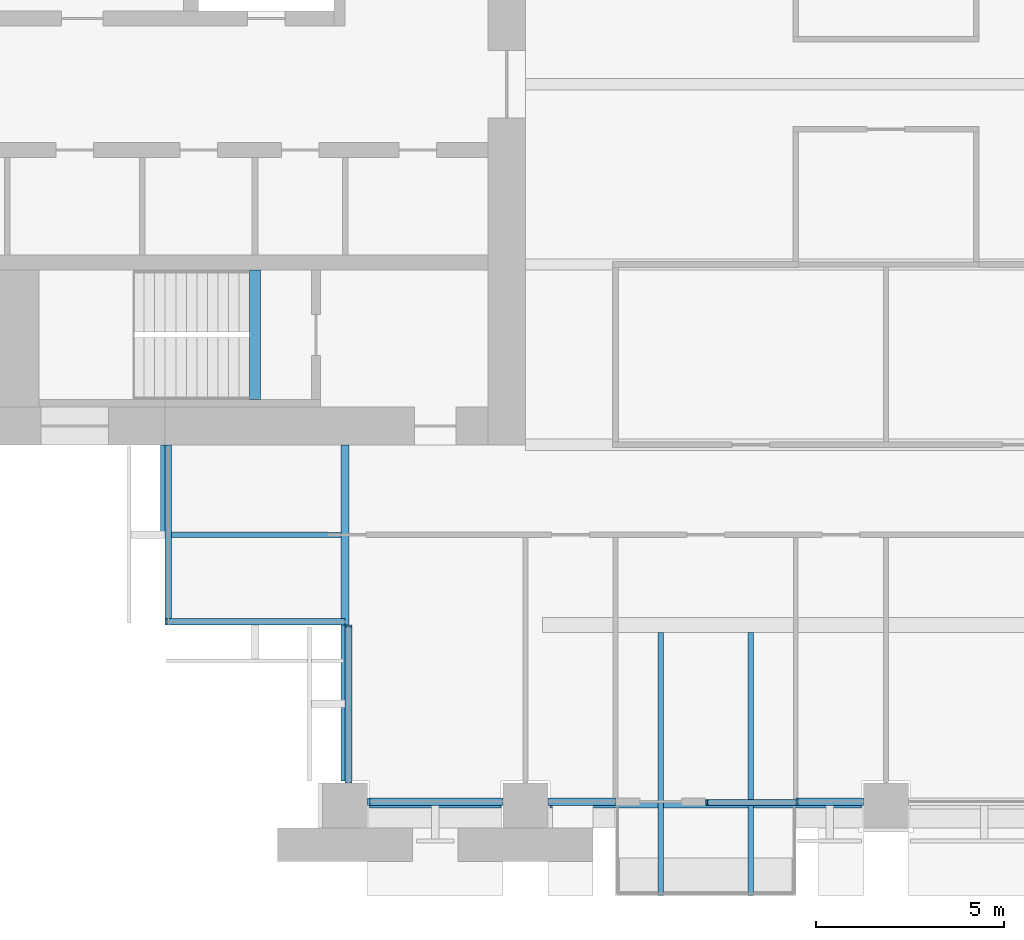
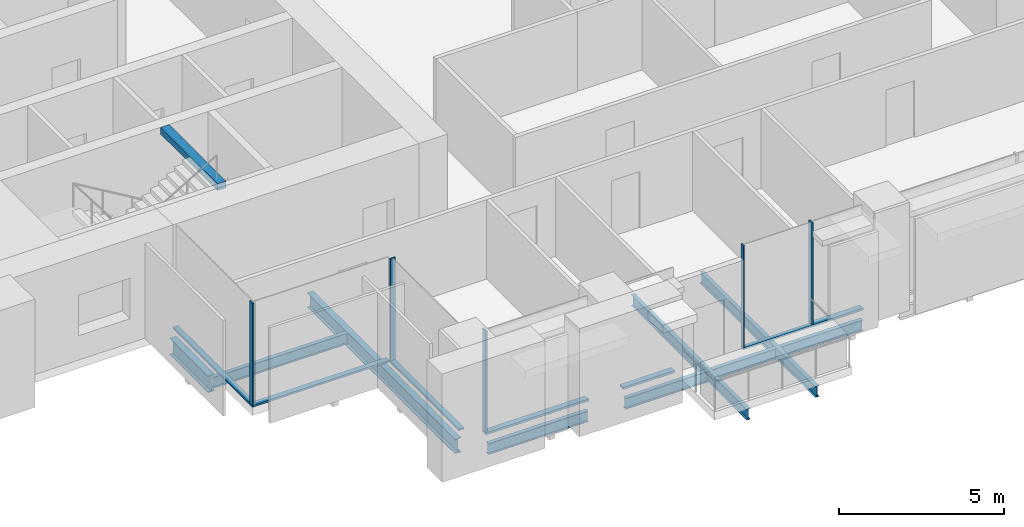
# One storey, part 2 of 15: 12 members, 10 beams, 6 elements without a shape of their own.
"""IFC4 building model written with IfcOpenShell, lengths in metres."""

from ifc_helpers import new_model, si_unit, direction, frame, origin, origin_2d, place, context, subcontext, project, spatial, rectangle, i_section, extrude, material, material_profile, profile_set, type_object, element, aggregate, save


model = new_model("IFC4")

# Units and contexts
model_context = context("Model", 3, precision=1e-05, world=origin(), true_north=direction((0.0, 1.0)))
body_context = subcontext(model_context, "Body", "Model", "MODEL_VIEW")
ifc_project = project(units=[si_unit("LENGTHUNIT", "METRE"), si_unit("AREAUNIT", "SQUARE_METRE"), si_unit("VOLUMEUNIT", "CUBIC_METRE"), si_unit("PLANEANGLEUNIT", "RADIAN"), si_unit("MASSUNIT", "GRAM", prefix="KILO")], contexts=[model_context])

# Site, building, storey
site_placement = place(None, origin())
site = spatial("IfcSite", under=ifc_project, at=site_placement, CompositionType="ELEMENT")
building_placement = place(site_placement, origin())
building = spatial("IfcBuilding", under=site, at=building_placement, Name="Baori Bourse Tower", CompositionType="ELEMENT")
storey_placement = place(building_placement, frame((0.0, 0.0, 104.10009765625)))
storey = spatial("IfcBuildingStorey", under=building, at=storey_placement, Name="L21", CompositionType="ELEMENT", Elevation=104.10009765625)

# Beams
ifc_material_1 = material(Name="Steel A992 Gr 50", Category="steel")
ifc_material_profile_1 = material_profile(ifc_material_1, i_section(OverallWidth=0.140380859375, OverallDepth=0.40380859375, WebThickness=0.007080078125, FlangeThickness=0.01123046875, at=origin_2d()), Name="W16x31")
ifc_profile_set_1 = profile_set([ifc_material_profile_1], Name="Steel A992 Gr 50")
beam_type_1 = type_object("IfcBeamType", Name="Balcony beam W16x31", PredefinedType="BEAM", material=ifc_profile_set_1)
for number, where, z_axis, x_axis, name in (
    (1, (22.800048828125, -2.39990234375, -0.501953125), (0.0, 1.0, 0.0), (-1.0, 0.0, 0.0), "Balcony beam L21"),
    (2, (25.199951171875, -2.39990234375, -0.501953125), (0.0, 1.0, 0.0), (-1.0, 0.0, 0.0), "Balcony beam L21"),
):
    element("IfcBeam", number, at=place(storey_placement, frame(where, z_axis=z_axis, x_axis=x_axis)), inside=storey, type_object=beam_type_1, Name=name, PredefinedType="BEAM", context=body_context, shape_type="SweptSolid", body=[
        extrude(i_section(OverallWidth=0.140380859375, OverallDepth=0.40380859375, WebThickness=0.007080078125, FlangeThickness=0.01123046875, at=origin_2d()), origin(), (0.0, 0.0, 1.0), 6.999267578125),
    ])

# Curtain wall, member
ifc_material_2 = material(Name="Pale anodised aluminium", Category="aluminium")
curtain_wall_type_1 = type_object("IfcCurtainWallType", Name="CW1 Curtain wall", PredefinedType="NOTDEFINED", material=ifc_material_2)
curtain_wall_1_placement = place(storey_placement, origin())
curtain_wall_1 = element("IfcCurtainWall", 3, at=curtain_wall_1_placement, inside=storey, type_object=curtain_wall_type_1, Name="Curtain wall CW1 L21 13", PredefinedType="NOTDEFINED")
ifc_material_3 = material(Name="Pale anodised aluminium", Category="aluminium")
ifc_material_profile_2 = material_profile(ifc_material_3, rectangle(XDim=0.199951171875, YDim=0.06005859375, at=origin_2d()), Name="Mullion 60x200")
ifc_profile_set_2 = profile_set([ifc_material_profile_2], Name="Pale anodised aluminium")
member_type_1 = type_object("IfcMemberType", Name="CW1 Curtain wall mullion", PredefinedType="MULLION", material=ifc_profile_set_2)
member_1_placement = place(storey_placement, frame((15.030029296875, 0.10009765625, 0.079833984375), z_axis=(0.0, 0.0, 1.0), x_axis=(0.0, 1.0, 0.0)))
member_1 = element("IfcMember", 4, at=member_1_placement, type_object=member_type_1, Name="Curtain wall CW1 mullion", PredefinedType="MULLION", context=body_context, shape_type="SweptSolid", body=[
    extrude(rectangle(XDim=0.199951171875, YDim=0.06005859375, at=origin_2d()), origin(), (0.0, 0.0, 1.0), 3.760009765625),
])

curtain_wall_2_placement = place(storey_placement, origin())
curtain_wall_2 = element("IfcCurtainWall", 5, at=curtain_wall_2_placement, inside=storey, type_object=curtain_wall_type_1, Name="Curtain wall CW1 L21 15", PredefinedType="NOTDEFINED")
member_2_placement = place(storey_placement, frame((26.429931640625, 0.10009765625, 0.079833984375), z_axis=(0.0, 0.0, 1.0), x_axis=(0.0, 1.0, 0.0)))
member_2 = element("IfcMember", 6, at=member_2_placement, type_object=member_type_1, Name="Curtain wall CW1 mullion", PredefinedType="MULLION", context=body_context, shape_type="SweptSolid", body=[
    extrude(rectangle(XDim=0.199951171875, YDim=0.06005859375, at=origin_2d()), origin(), (0.0, 0.0, 1.0), 3.760009765625),
])

# Member
ifc_material_4 = material(Name="Pale anodised aluminium", Category="aluminium")
ifc_material_profile_3 = material_profile(ifc_material_4, rectangle(XDim=0.199951171875, YDim=0.080078125, at=origin_2d()), Name="Transom 80x200")
ifc_profile_set_3 = profile_set([ifc_material_profile_3], Name="Pale anodised aluminium")
member_type_2 = type_object("IfcMemberType", Name="CW1 Curtain wall transom", PredefinedType="USERDEFINED", material=ifc_profile_set_3)
member_3_placement = place(storey_placement, frame((15.0, 0.10009765625, 0.039794921875), z_axis=(1.0, 0.0, 0.0), x_axis=(0.0, 1.0, 0.0)))
member_3 = element("IfcMember", 7, at=member_3_placement, type_object=member_type_2, Name="Curtain wall CW1 sill rail", ObjectType="TRANSOM", PredefinedType="USERDEFINED", context=body_context, shape_type="SweptSolid", body=[
    extrude(rectangle(XDim=0.199951171875, YDim=0.080078125, at=origin_2d()), origin(), (0.0, 0.0, 1.0), 3.60009765625),
])

member_4_placement = place(storey_placement, frame((19.800048828125, 0.10009765625, 0.039794921875), z_axis=(1.0, 0.0, 0.0), x_axis=(0.0, 1.0, 0.0)))
member_4 = element("IfcMember", 8, at=member_4_placement, type_object=member_type_2, Name="Curtain wall CW1 sill rail", ObjectType="TRANSOM", PredefinedType="USERDEFINED", context=body_context, shape_type="SweptSolid", body=[
    extrude(rectangle(XDim=0.199951171875, YDim=0.080078125, at=origin_2d()), origin(), (0.0, 0.0, 1.0), 1.800048828125),
])

aggregate(curtain_wall_1, [member_3, member_1, member_4])

member_5_placement = place(storey_placement, frame((26.39990234375, 0.10009765625, 0.039794921875), z_axis=(1.0, 0.0, 0.0), x_axis=(0.0, 1.0, 0.0)))
member_5 = element("IfcMember", 9, at=member_5_placement, type_object=member_type_2, Name="Curtain wall CW1 sill rail", ObjectType="TRANSOM", PredefinedType="USERDEFINED", context=body_context, shape_type="SweptSolid", body=[
    extrude(rectangle(XDim=0.199951171875, YDim=0.080078125, at=origin_2d()), origin(), (0.0, 0.0, 1.0), 1.800048828125),
])

aggregate(curtain_wall_2, [member_5, member_2])

# Curtain wall, member
ifc_material_5 = material(Name="Pale anodised aluminium", Category="aluminium")
curtain_wall_type_2 = type_object("IfcCurtainWallType", Name="CW2 Curtain wall", PredefinedType="NOTDEFINED", material=ifc_material_5)
curtain_wall_3_placement = place(storey_placement, origin())
curtain_wall_3 = element("IfcCurtainWall", 10, at=curtain_wall_3_placement, inside=storey, type_object=curtain_wall_type_2, Name="Curtain wall CW2 L21 11", PredefinedType="NOTDEFINED")
ifc_material_6 = material(Name="Pale anodised aluminium", Category="aluminium")
ifc_material_profile_4 = material_profile(ifc_material_6, rectangle(XDim=0.179931640625, YDim=0.054931640625, at=origin_2d()), Name="Mullion 55x180")
ifc_profile_set_4 = profile_set([ifc_material_profile_4], Name="Pale anodised aluminium")
member_type_3 = type_object("IfcMemberType", Name="CW2 Curtain wall mullion", PredefinedType="MULLION", material=ifc_profile_set_4)
member_6_placement = place(storey_placement, frame((9.62744140625, 4.889892578125, 0.06982421875), z_axis=(0.0, 0.0, 1.0), x_axis=(0.0, 1.0, 0.0)))
member_6 = element("IfcMember", 11, at=member_6_placement, type_object=member_type_3, Name="Curtain wall CW2 mullion", PredefinedType="MULLION", context=body_context, shape_type="SweptSolid", body=[
    extrude(rectangle(XDim=0.179931640625, YDim=0.054931640625, at=origin_2d()), origin(), (0.0, 0.0, 1.0), 3.77001953125),
])

curtain_wall_4_placement = place(storey_placement, origin())
curtain_wall_4 = element("IfcCurtainWall", 12, at=curtain_wall_4_placement, inside=storey, type_object=curtain_wall_type_2, Name="Curtain wall CW2 L21 12", PredefinedType="NOTDEFINED")
member_7_placement = place(storey_placement, frame((14.489990234375, 4.7724609375, 0.06982421875), z_axis=(0.0, 0.0, 1.0), x_axis=(1.0, 0.0, 0.0)))
member_7 = element("IfcMember", 13, at=member_7_placement, type_object=member_type_3, Name="Curtain wall CW2 mullion", PredefinedType="MULLION", context=body_context, shape_type="SweptSolid", body=[
    extrude(rectangle(XDim=0.179931640625, YDim=0.054931640625, at=origin_2d()), origin(), (0.0, 0.0, 1.0), 3.77001953125),
])

curtain_wall_5_placement = place(storey_placement, origin())
curtain_wall_5 = element("IfcCurtainWall", 14, at=curtain_wall_5_placement, inside=storey, type_object=curtain_wall_type_2, Name="Curtain wall CW2 L21 10", PredefinedType="NOTDEFINED")
ifc_material_7 = material(Name="Pale anodised aluminium", Category="aluminium")
ifc_material_profile_5 = material_profile(ifc_material_7, rectangle(XDim=0.179931640625, YDim=0.070068359375, at=origin_2d()), Name="Transom 70x180")
ifc_profile_set_5 = profile_set([ifc_material_profile_5], Name="Pale anodised aluminium")
member_type_4 = type_object("IfcMemberType", Name="CW2 Curtain wall transom", PredefinedType="USERDEFINED", material=ifc_profile_set_5)
member_8_placement = place(storey_placement, frame((9.68994140625, 9.60009765625, 0.034912109375), z_axis=(0.0, -1.0, 0.0), x_axis=(1.0, 0.0, 0.0)))
member_8 = element("IfcMember", 15, at=member_8_placement, type_object=member_type_4, Name="Curtain wall CW2 sill rail", ObjectType="TRANSOM", PredefinedType="USERDEFINED", context=body_context, shape_type="SweptSolid", body=[
    extrude(rectangle(XDim=0.179931640625, YDim=0.070068359375, at=origin_2d()), origin(), (0.0, 0.0, 1.0), 4.800048828125),
])
aggregate(curtain_wall_5, [member_8])

# Member
member_9_placement = place(storey_placement, frame((9.60009765625, 4.889892578125, 0.034912109375), z_axis=(1.0, 0.0, 0.0), x_axis=(0.0, 1.0, 0.0)))
member_9 = element("IfcMember", 16, at=member_9_placement, type_object=member_type_4, Name="Curtain wall CW2 sill rail", ObjectType="TRANSOM", PredefinedType="USERDEFINED", context=body_context, shape_type="SweptSolid", body=[
    extrude(rectangle(XDim=0.179931640625, YDim=0.070068359375, at=origin_2d()), origin(), (0.0, 0.0, 1.0), 4.7998046875),
])

aggregate(curtain_wall_3, [member_9, member_6])

member_10_placement = place(storey_placement, frame((14.489990234375, 4.800048828125, 0.034912109375), z_axis=(0.0, -1.0, 0.0), x_axis=(1.0, 0.0, 0.0)))
member_10 = element("IfcMember", 17, at=member_10_placement, type_object=member_type_4, Name="Curtain wall CW2 sill rail", ObjectType="TRANSOM", PredefinedType="USERDEFINED", context=body_context, shape_type="SweptSolid", body=[
    extrude(rectangle(XDim=0.179931640625, YDim=0.070068359375, at=origin_2d()), origin(), (0.0, 0.0, 1.0), 4.199951171875),
])

aggregate(curtain_wall_4, [member_10, member_7])

# Curtain wall, members
ifc_material_8 = material(Name="Pale anodised aluminium", Category="aluminium")
curtain_wall_type_3 = type_object("IfcCurtainWallType", Name="CW6 Curtain wall", PredefinedType="NOTDEFINED", material=ifc_material_8)
curtain_wall_6_placement = place(storey_placement, origin())
curtain_wall_6 = element("IfcCurtainWall", 18, at=curtain_wall_6_placement, inside=storey, type_object=curtain_wall_type_3, Name="Curtain wall CW6 L21 14", PredefinedType="NOTDEFINED")
ifc_material_9 = material(Name="Pale anodised aluminium", Category="aluminium")
ifc_material_profile_6 = material_profile(ifc_material_9, rectangle(XDim=0.14990234375, YDim=0.050048828125, at=origin_2d()), Name="Mullion 50x150")
ifc_profile_set_6 = profile_set([ifc_material_profile_6], Name="Pale anodised aluminium")
member_type_5 = type_object("IfcMemberType", Name="CW6 Curtain wall mullion", PredefinedType="MULLION", material=ifc_profile_set_6)
member_11_placement = place(storey_placement, frame((24.02490234375, 0.074951171875, 0.06494140625), z_axis=(0.0, 0.0, 1.0), x_axis=(0.0, 1.0, 0.0)))
member_11 = element("IfcMember", 19, at=member_11_placement, type_object=member_type_5, Name="Curtain wall CW6 mullion", PredefinedType="MULLION", context=body_context, shape_type="SweptSolid", body=[
    extrude(rectangle(XDim=0.14990234375, YDim=0.050048828125, at=origin_2d()), origin(), (0.0, 0.0, 1.0), 3.77490234375),
])
ifc_material_10 = material(Name="Pale anodised aluminium", Category="aluminium")
ifc_material_profile_7 = material_profile(ifc_material_10, rectangle(XDim=0.14990234375, YDim=0.06494140625, at=origin_2d()), Name="Transom 65x150")
ifc_profile_set_7 = profile_set([ifc_material_profile_7], Name="Pale anodised aluminium")
member_type_6 = type_object("IfcMemberType", Name="CW6 Curtain wall transom", PredefinedType="USERDEFINED", material=ifc_profile_set_7)
member_12_placement = place(storey_placement, frame((24.0, 0.074951171875, 0.032470703125), z_axis=(1.0, 0.0, 0.0), x_axis=(0.0, 1.0, 0.0)))
member_12 = element("IfcMember", 20, at=member_12_placement, type_object=member_type_6, Name="Curtain wall CW6 sill rail", ObjectType="TRANSOM", PredefinedType="USERDEFINED", context=body_context, shape_type="SweptSolid", body=[
    extrude(rectangle(XDim=0.14990234375, YDim=0.06494140625, at=origin_2d()), origin(), (0.0, 0.0, 1.0), 2.39990234375),
])
aggregate(curtain_wall_6, [member_12, member_11])

# Beams
ifc_material_11 = material(Name="Steel A992 Gr 50", Category="steel")
ifc_material_profile_8 = material_profile(ifc_material_11, i_section(OverallWidth=0.22900390625, OverallDepth=0.612060546875, WebThickness=0.011962890625, FlangeThickness=0.01953125, at=origin_2d()), Name="W24x84")
ifc_profile_set_8 = profile_set([ifc_material_profile_8], Name="Steel A992 Gr 50")
beam_type_2 = type_object("IfcBeamType", Name="Core bracket W24x84", PredefinedType="BEAM", material=ifc_profile_set_8)
beam_1_placement = place(storey_placement, frame((9.60009765625, 7.270263671875, -0.606201171875), z_axis=(0.0, 1.0, 0.0), x_axis=(-1.0, 0.0, 0.0)))
element("IfcBeam", 21, at=beam_1_placement, inside=storey, type_object=beam_type_2, Name="Core bracket L21", PredefinedType="BEAM", context=body_context, shape_type="SweptSolid", body=[
    extrude(i_section(OverallWidth=0.22900390625, OverallDepth=0.612060546875, WebThickness=0.011962890625, FlangeThickness=0.01953125, at=origin_2d()), origin(), (0.0, 0.0, 1.0), 2.329833984375),
])
ifc_material_12 = material(Name="Steel A992 Gr 50", Category="steel")
ifc_material_profile_9 = material_profile(ifc_material_12, i_section(OverallWidth=0.140380859375, OverallDepth=0.40380859375, WebThickness=0.007080078125, FlangeThickness=0.01123046875, at=origin_2d()), Name="W16x31")
ifc_profile_set_9 = profile_set([ifc_material_profile_9], Name="Steel A992 Gr 50")
beam_type_3 = type_object("IfcBeamType", Name="Edge beam W16x31", PredefinedType="BEAM", material=ifc_profile_set_9)
beam_2_placement = place(storey_placement, frame((15.050048828125, 0.0, -0.501953125), z_axis=(1.0, 0.0, 0.0), x_axis=(0.0, 1.0, 0.0)))
element("IfcBeam", 22, at=beam_2_placement, inside=storey, type_object=beam_type_3, Name="Edge beam L21", PredefinedType="BEAM", context=body_context, shape_type="SweptSolid", body=[
    extrude(i_section(OverallWidth=0.140380859375, OverallDepth=0.40380859375, WebThickness=0.007080078125, FlangeThickness=0.01123046875, at=origin_2d()), origin(), (0.0, 0.0, 1.0), 3.5),
])
beam_3_placement = place(storey_placement, frame((19.85009765625, 0.0, -0.501953125), z_axis=(1.0, 0.0, 0.0), x_axis=(0.0, 1.0, 0.0)))
element("IfcBeam", 23, at=beam_3_placement, inside=storey, type_object=beam_type_3, Name="Edge beam L21", PredefinedType="BEAM", context=body_context, shape_type="SweptSolid", body=[
    extrude(i_section(OverallWidth=0.140380859375, OverallDepth=0.40380859375, WebThickness=0.007080078125, FlangeThickness=0.01123046875, at=origin_2d()), origin(), (0.0, 0.0, 1.0), 2.879638671875),
])
beam_4_placement = place(storey_placement, frame((22.8701171875, 0.0, -0.501953125), z_axis=(1.0, 0.0, 0.0), x_axis=(0.0, 1.0, 0.0)))
element("IfcBeam", 24, at=beam_4_placement, inside=storey, type_object=beam_type_3, Name="Edge beam L21", PredefinedType="BEAM", context=body_context, shape_type="SweptSolid", body=[
    extrude(i_section(OverallWidth=0.140380859375, OverallDepth=0.40380859375, WebThickness=0.007080078125, FlangeThickness=0.01123046875, at=origin_2d()), origin(), (0.0, 0.0, 1.0), 2.259765625),
])
beam_5_placement = place(storey_placement, frame((25.270263671875, 0.0, -0.501953125), z_axis=(1.0, 0.0, 0.0), x_axis=(0.0, 1.0, 0.0)))
element("IfcBeam", 25, at=beam_5_placement, inside=storey, type_object=beam_type_3, Name="Edge beam L21", PredefinedType="BEAM", context=body_context, shape_type="SweptSolid", body=[
    extrude(i_section(OverallWidth=0.140380859375, OverallDepth=0.40380859375, WebThickness=0.007080078125, FlangeThickness=0.01123046875, at=origin_2d()), origin(), (0.0, 0.0, 1.0), 2.879638671875),
])
ifc_material_13 = material(Name="Steel A992 Gr 50", Category="steel")
ifc_material_profile_10 = material_profile(ifc_material_13, i_section(OverallWidth=0.21240234375, OverallDepth=0.54345703125, WebThickness=0.01318359375, FlangeThickness=0.021240234375, at=origin_2d()), Name="W21x83")
ifc_profile_set_10 = profile_set([ifc_material_profile_10], Name="Steel A992 Gr 50")
beam_type_4 = type_object("IfcBeamType", Name="Floor beam W21x83", PredefinedType="BEAM", material=ifc_profile_set_10)
beam_6_placement = place(storey_placement, frame((14.39990234375, 0.64990234375, -0.57177734375), z_axis=(0.0, 1.0, 0.0), x_axis=(-1.0, 0.0, 0.0)))
element("IfcBeam", 26, at=beam_6_placement, inside=storey, type_object=beam_type_4, Name="Floor beam L21", PredefinedType="BEAM", context=body_context, shape_type="SweptSolid", body=[
    extrude(i_section(OverallWidth=0.21240234375, OverallDepth=0.54345703125, WebThickness=0.01318359375, FlangeThickness=0.021240234375, at=origin_2d()), origin(), (0.0, 0.0, 1.0), 8.9501953125),
])
ifc_material_14 = material(Name="Concrete f'c 50 MPa", Category="concrete")
ifc_material_profile_11 = material_profile(ifc_material_14, rectangle(XDim=0.300048828125, YDim=0.25, at=origin_2d()), Name="RC 300x250")
ifc_profile_set_11 = profile_set([ifc_material_profile_11], Name="Concrete f'c 50 MPa")
beam_type_5 = type_object("IfcBeamType", Name="Stair nib beam RC 300x250", PredefinedType="BEAM", material=ifc_profile_set_11)
beam_7_placement = place(storey_placement, frame((12.0, 10.800048828125, 3.71484375), z_axis=(0.0, 1.0, 0.0), x_axis=(-1.0, 0.0, 0.0)))
element("IfcBeam", 27, at=beam_7_placement, inside=storey, type_object=beam_type_5, Name="Stair WA nib beam L22", PredefinedType="BEAM", context=body_context, shape_type="SweptSolid", body=[
    extrude(rectangle(XDim=0.300048828125, YDim=0.25, at=origin_2d()), origin(), (0.0, 0.0, 1.0), 3.449951171875),
])
ifc_material_15 = material(Name="Steel A992 Gr 50", Category="steel")
ifc_material_profile_12 = material_profile(ifc_material_15, i_section(OverallWidth=0.140380859375, OverallDepth=0.40380859375, WebThickness=0.007080078125, FlangeThickness=0.01123046875, at=origin_2d()), Name="W16x31")
ifc_profile_set_12 = profile_set([ifc_material_profile_12], Name="Steel A992 Gr 50")
beam_type_6 = type_object("IfcBeamType", Name="Trimmer beam W16x31", PredefinedType="BEAM", material=ifc_profile_set_12)
beam_8_placement = place(storey_placement, frame((9.60009765625, 7.199951171875, -0.501953125), z_axis=(1.0, 0.0, 0.0), x_axis=(0.0, 1.0, 0.0)))
element("IfcBeam", 28, at=beam_8_placement, inside=storey, type_object=beam_type_6, Name="Trimmer beam L21", PredefinedType="BEAM", context=body_context, shape_type="SweptSolid", body=[
    extrude(i_section(OverallWidth=0.140380859375, OverallDepth=0.40380859375, WebThickness=0.007080078125, FlangeThickness=0.01123046875, at=origin_2d()), origin(), (0.0, 0.0, 1.0), 4.69384765625),
])

save(model, "model.ifc")
